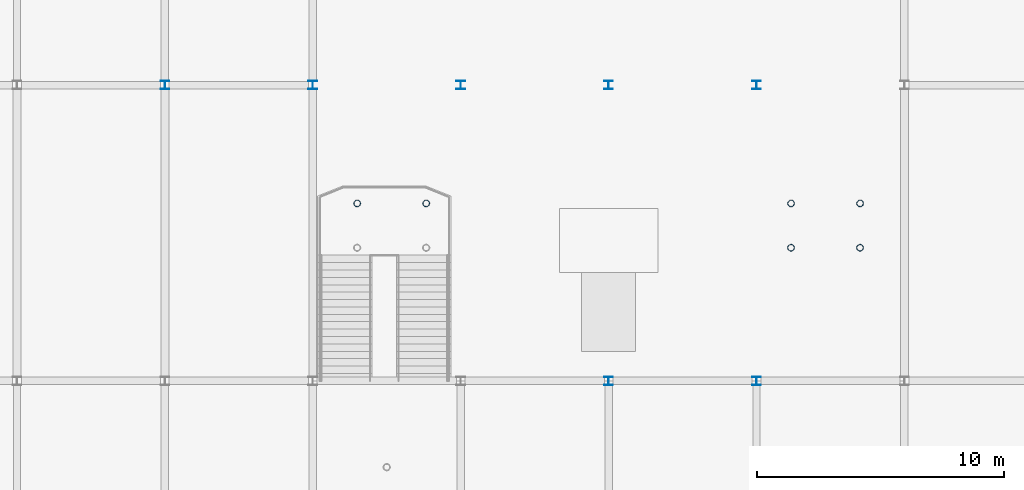
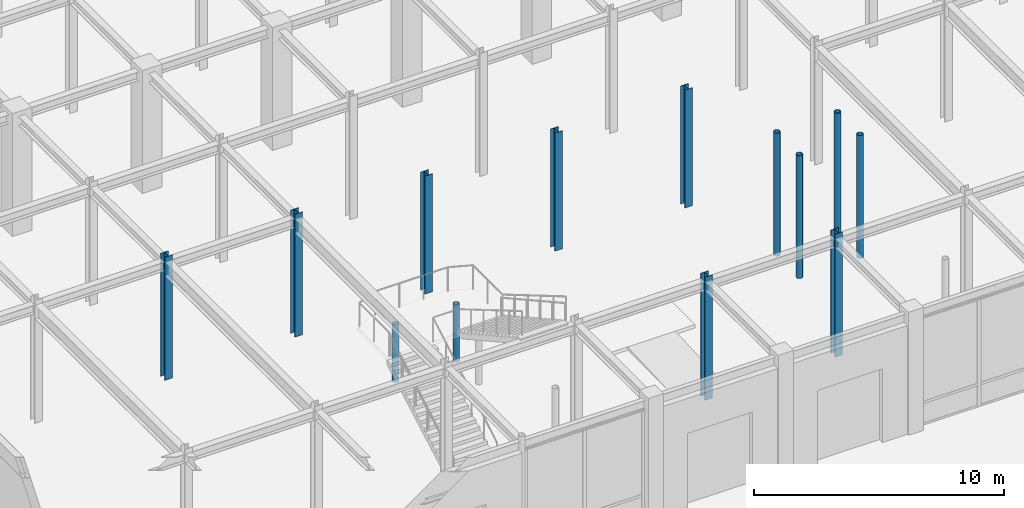
# One storey, part 8 of 51: 13 columns.
"""IFC4 building model written with IfcOpenShell, lengths in metres."""

from ifc_helpers import new_model, si_unit, direction, frame, origin, origin_2d, place, context, subcontext, project, spatial, hollow_circle, i_section, extrude, material, material_profile, profile_set, type_object, element, save


model = new_model("IFC4")

# Units and contexts
model_context = context("Model", 3, precision=1e-05, world=origin(), true_north=direction((0.0, 1.0)))
body_context = subcontext(model_context, "Body", "Model", "MODEL_VIEW")
ifc_project = project(units=[si_unit("LENGTHUNIT", "METRE"), si_unit("AREAUNIT", "SQUARE_METRE"), si_unit("VOLUMEUNIT", "CUBIC_METRE"), si_unit("PLANEANGLEUNIT", "RADIAN"), si_unit("MASSUNIT", "GRAM", prefix="KILO")], contexts=[model_context])

# Site, building, storey
site_placement = place(None, origin())
site = spatial("IfcSite", under=ifc_project, at=site_placement, CompositionType="ELEMENT")
building_placement = place(site_placement, origin())
building = spatial("IfcBuilding", under=site, at=building_placement, Name="Zlatovratsky Civic Hall", CompositionType="ELEMENT")
storey_placement = place(building_placement, origin())
storey = spatial("IfcBuildingStorey", under=building, at=storey_placement, Name="L01", CompositionType="ELEMENT", Elevation=0.0)

# Columns
ifc_material = material(Name="Steel S355", Category="steel")
ifc_material_profile_1 = material_profile(ifc_material, hollow_circle(Radius=0.136474609375, WallThickness=0.010009765625, at=origin_2d()), Name="CHS 273x10")
ifc_profile_set_1 = profile_set([ifc_material_profile_1], Name="Steel S355")
column_type_1 = type_object("IfcColumnType", Name="Col_Portico_CHS273", PredefinedType="COLUMN", material=ifc_profile_set_1)
for number, where, z_axis, x_axis, name in (
    (1, (73.800048828125, 25.199951171875, 0.0), (0.0, 0.0, 1.0), (1.0, 0.0, 0.0), "CL-I1-738-252"),
    (2, (76.60009765625, 25.199951171875, 0.0), (0.0, 0.0, 1.0), (1.0, 0.0, 0.0), "CL-I1-766-252"),
):
    element("IfcColumn", number, at=place(storey_placement, frame(where, z_axis=z_axis, x_axis=x_axis)), inside=storey, type_object=column_type_1, Name=name, PredefinedType="COLUMN", context=body_context, shape_type="SweptSolid", body=[
        extrude(hollow_circle(Radius=0.136474609375, WallThickness=0.010009765625, at=origin_2d()), origin(), (0.0, 0.0, 1.0), 2.800048828125),
    ])
for number, where, z_axis, x_axis, name in (
    (3, (91.39990234375, 23.39990234375, 0.0), (0.0, 0.0, 1.0), (1.0, 0.0, 0.0), "CL-I2A-914-234"),
    (4, (91.39990234375, 25.199951171875, 0.0), (0.0, 0.0, 1.0), (1.0, 0.0, 0.0), "CL-I2A-914-252"),
    (5, (94.199951171875, 23.39990234375, 0.0), (0.0, 0.0, 1.0), (1.0, 0.0, 0.0), "CL-I2A-942-234"),
    (6, (94.199951171875, 25.199951171875, 0.0), (0.0, 0.0, 1.0), (1.0, 0.0, 0.0), "CL-I2A-942-252"),
):
    element("IfcColumn", number, at=place(storey_placement, frame(where, z_axis=z_axis, x_axis=x_axis)), inside=storey, type_object=column_type_1, Name=name, PredefinedType="COLUMN", context=body_context, shape_type="SweptSolid", body=[
        extrude(hollow_circle(Radius=0.136474609375, WallThickness=0.010009765625, at=origin_2d()), origin(), (0.0, 0.0, 1.0), 6.0),
    ])
ifc_material_profile_2 = material_profile(ifc_material, i_section(OverallWidth=0.35009765625, OverallDepth=0.343017578125, WebThickness=0.010009765625, FlangeThickness=0.014892578125, FilletRadius=0.02001953125, at=origin_2d()), Name="35K1")
ifc_profile_set_2 = profile_set([ifc_material_profile_2], Name="Steel S355")
column_type_2 = type_object("IfcColumnType", Name="Col_Steel_35K1", PredefinedType="COLUMN", material=ifc_profile_set_2)
for number, where, z_axis, x_axis, name in (
    (7, (84.0, 18.0, 0.0), (0.0, 0.0, 1.0), (1.0, 0.0, 0.0), "CL-0465"),
    (8, (90.0, 18.0, 0.0), (0.0, 0.0, 1.0), (1.0, 0.0, 0.0), "CL-0466"),
    (9, (66.0, 30.0, 0.0), (0.0, 0.0, 1.0), (1.0, 0.0, 0.0), "CL-0485"),
    (10, (72.0, 30.0, 0.0), (0.0, 0.0, 1.0), (1.0, 0.0, 0.0), "CL-0486"),
):
    element("IfcColumn", number, at=place(storey_placement, frame(where, z_axis=z_axis, x_axis=x_axis)), inside=storey, type_object=column_type_2, Name=name, PredefinedType="COLUMN", context=body_context, shape_type="SweptSolid", body=[
        extrude(i_section(OverallWidth=0.35009765625, OverallDepth=0.343017578125, WebThickness=0.010009765625, FlangeThickness=0.014892578125, FilletRadius=0.02001953125, at=origin_2d()), origin(), (0.0, 0.0, 1.0), 6.0),
    ])
for number, where, z_axis, x_axis, name in (
    (11, (78.0, 30.0, 0.0), (0.0, 0.0, 1.0), (1.0, 0.0, 0.0), "CL-0487"),
    (12, (84.0, 30.0, 0.0), (0.0, 0.0, 1.0), (1.0, 0.0, 0.0), "CL-0488"),
    (13, (90.0, 30.0, 0.0), (0.0, 0.0, 1.0), (1.0, 0.0, 0.0), "CL-0489"),
):
    element("IfcColumn", number, at=place(storey_placement, frame(where, z_axis=z_axis, x_axis=x_axis)), inside=storey, type_object=column_type_2, Name=name, PredefinedType="COLUMN", context=body_context, shape_type="SweptSolid", body=[
        extrude(i_section(OverallWidth=0.35009765625, OverallDepth=0.343017578125, WebThickness=0.010009765625, FlangeThickness=0.014892578125, FilletRadius=0.02001953125, at=origin_2d()), origin(), (0.0, 0.0, 1.0), 5.760009765625),
    ])

save(model, "model.ifc")
